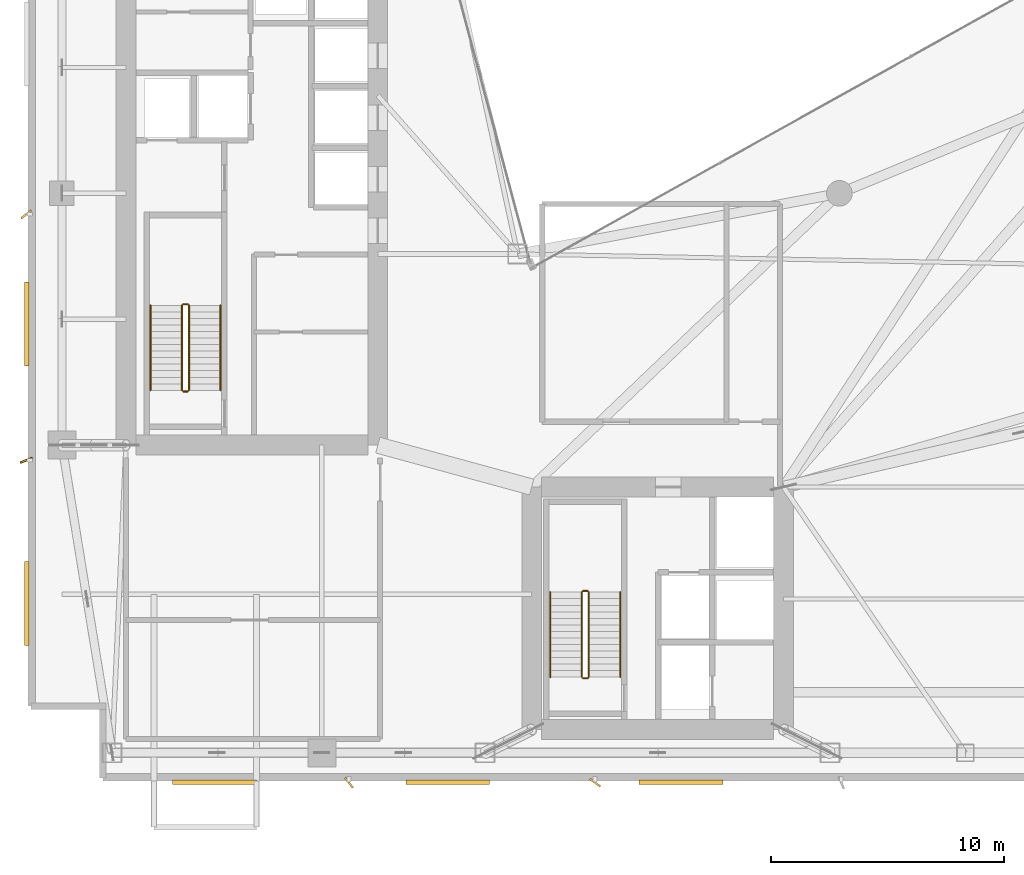
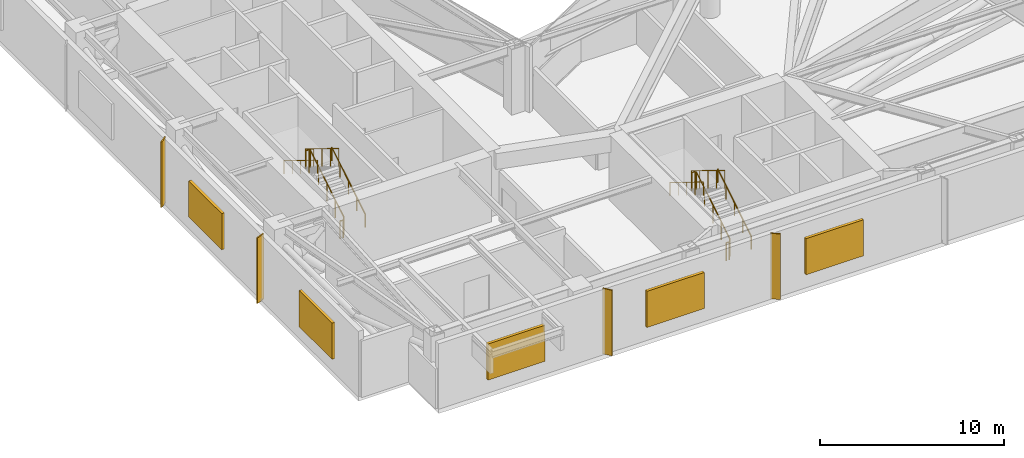
# One storey, part 16 of 17: 12 railings, 9 shading devices.
"""IFC4 building model written with IfcOpenShell, lengths in metres."""

from ifc_helpers import new_model, si_unit, direction, frame, origin, origin_2d, place, context, subcontext, project, spatial, rectangle, circle, extrude, material, type_object, element, save


model = new_model("IFC4")

# Units and contexts
model_context = context("Model", 3, precision=1e-05, world=origin(), true_north=direction((0.0, 1.0)))
body_context = subcontext(model_context, "Body", "Model", "MODEL_VIEW")
ifc_project = project(units=[si_unit("LENGTHUNIT", "METRE"), si_unit("AREAUNIT", "SQUARE_METRE"), si_unit("VOLUMEUNIT", "CUBIC_METRE"), si_unit("PLANEANGLEUNIT", "RADIAN"), si_unit("MASSUNIT", "GRAM", prefix="KILO")], contexts=[model_context])

# Site, building, storey
site_placement = place(None, origin())
site = spatial("IfcSite", under=ifc_project, at=site_placement, CompositionType="ELEMENT")
building_placement = place(site_placement, origin())
building = spatial("IfcBuilding", under=site, at=building_placement, Name="Calvorn Quay Hotel", CompositionType="ELEMENT")
storey_placement = place(building_placement, frame((0.0, 0.0, 186.5)))
storey = spatial("IfcBuildingStorey", under=building, at=storey_placement, Name="L46", CompositionType="ELEMENT", Elevation=186.5)

# Railings
ifc_material_1 = material(Name="Brushed Stainless Steel Handrail", Category="steel")
railing_type_1 = type_object("IfcRailingType", Name="RLG-HANDRAIL-900", PredefinedType="HANDRAIL", material=ifc_material_1)
railing_1_placement = place(storey_placement, frame((8.25, 19.14990234375, 0.17138671875)))
element("IfcRailing", 1, at=railing_1_placement, inside=storey, type_object=railing_type_1, Name="L46 ST-W stair handrail 1", PredefinedType="HANDRAIL", context=body_context, shape_type="SweptSolid", body=[
    extrude(circle(Radius=0.02392578125, at=origin_2d()), frame((0.0, 0.0, 0.8759765625), z_axis=(0.0, 0.852865859571, 0.52213008492), x_axis=(-1.0, 0.0, 0.0)), (0.0, 0.0, 1.0), 4.26806640625),
    extrude(circle(Radius=0.02099609375, at=origin_2d()), origin(), (0.0, 0.0, 1.0), 0.851806640625),
    extrude(circle(Radius=0.02099609375, at=origin_2d()), frame((0.0, 0.91015625, 0.55712890625)), (0.0, 0.0, 1.0), 0.851806640625),
    extrude(circle(Radius=0.02099609375, at=origin_2d()), frame((0.0, 1.820068359375, 1.1142578125)), (0.0, 0.0, 1.0), 0.851806640625),
    extrude(circle(Radius=0.02099609375, at=origin_2d()), frame((0.0, 2.72998046875, 1.67138671875)), (0.0, 0.0, 1.0), 0.851806640625),
    extrude(circle(Radius=0.02099609375, at=origin_2d()), frame((0.0, 3.64013671875, 2.228515625)), (0.0, 0.0, 1.0), 0.851806640625),
])
railing_2_placement = place(storey_placement, frame((5.25, 22.7900390625, 2.571533203125)))
element("IfcRailing", 2, at=railing_2_placement, inside=storey, type_object=railing_type_1, Name="L46 ST-W stair handrail 2", PredefinedType="HANDRAIL", context=body_context, shape_type="SweptSolid", body=[
    extrude(circle(Radius=0.02392578125, at=origin_2d()), frame((0.0, 0.0, 0.8759765625), z_axis=(0.0, -0.852865859571, 0.52213008492), x_axis=(1.0, 0.0, 0.0)), (0.0, 0.0, 1.0), 4.26806640625),
    extrude(circle(Radius=0.02099609375, at=origin_2d()), origin(), (0.0, 0.0, 1.0), 0.851806640625),
    extrude(circle(Radius=0.02099609375, at=origin_2d()), frame((0.0, -0.91015625, 0.55712890625)), (0.0, 0.0, 1.0), 0.851806640625),
    extrude(circle(Radius=0.02099609375, at=origin_2d()), frame((0.0, -1.820068359375, 1.1142578125)), (0.0, 0.0, 1.0), 0.851806640625),
    extrude(circle(Radius=0.02099609375, at=origin_2d()), frame((0.0, -2.72998046875, 1.67138671875)), (0.0, 0.0, 1.0), 0.851806640625),
    extrude(circle(Radius=0.02099609375, at=origin_2d()), frame((0.0, -3.64013671875, 2.228515625)), (0.0, 0.0, 1.0), 0.851806640625),
])
railing_3_placement = place(storey_placement, frame((25.39990234375, 6.85009765625, 0.17138671875)))
element("IfcRailing", 3, at=railing_3_placement, inside=storey, type_object=railing_type_1, Name="L46 ST-E stair handrail 1", PredefinedType="HANDRAIL", context=body_context, shape_type="SweptSolid", body=[
    extrude(circle(Radius=0.02392578125, at=origin_2d()), frame((0.0, 0.0, 0.8759765625), z_axis=(0.0, 0.852850264322, 0.5221555579), x_axis=(-1.0, 0.0, 0.0)), (0.0, 0.0, 1.0), 4.267822265625),
    extrude(circle(Radius=0.02099609375, at=origin_2d()), origin(), (0.0, 0.0, 1.0), 0.851806640625),
    extrude(circle(Radius=0.02099609375, at=origin_2d()), frame((0.0, 0.909912109375, 0.55712890625)), (0.0, 0.0, 1.0), 0.851806640625),
    extrude(circle(Radius=0.02099609375, at=origin_2d()), frame((0.0, 1.81982421875, 1.1142578125)), (0.0, 0.0, 1.0), 0.851806640625),
    extrude(circle(Radius=0.02099609375, at=origin_2d()), frame((0.0, 2.72998046875, 1.67138671875)), (0.0, 0.0, 1.0), 0.851806640625),
    extrude(circle(Radius=0.02099609375, at=origin_2d()), frame((0.0, 3.639892578125, 2.228515625)), (0.0, 0.0, 1.0), 0.851806640625),
])
railing_4_placement = place(storey_placement, frame((22.39990234375, 10.489990234375, 2.571533203125)))
element("IfcRailing", 4, at=railing_4_placement, inside=storey, type_object=railing_type_1, Name="L46 ST-E stair handrail 2", PredefinedType="HANDRAIL", context=body_context, shape_type="SweptSolid", body=[
    extrude(circle(Radius=0.02392578125, at=origin_2d()), frame((0.0, 0.0, 0.8759765625), z_axis=(0.0, -0.852850264322, 0.5221555579), x_axis=(1.0, 0.0, 0.0)), (0.0, 0.0, 1.0), 4.267822265625),
    extrude(circle(Radius=0.02099609375, at=origin_2d()), origin(), (0.0, 0.0, 1.0), 0.851806640625),
    extrude(circle(Radius=0.02099609375, at=origin_2d()), frame((0.0, -0.909912109375, 0.55712890625)), (0.0, 0.0, 1.0), 0.851806640625),
    extrude(circle(Radius=0.02099609375, at=origin_2d()), frame((0.0, -1.81982421875, 1.1142578125)), (0.0, 0.0, 1.0), 0.851806640625),
    extrude(circle(Radius=0.02099609375, at=origin_2d()), frame((0.0, -2.72998046875, 1.67138671875)), (0.0, 0.0, 1.0), 0.851806640625),
    extrude(circle(Radius=0.02099609375, at=origin_2d()), frame((0.0, -3.639892578125, 2.228515625)), (0.0, 0.0, 1.0), 0.851806640625),
])
ifc_material_2 = material(Name="Painted Galvanised Steel Balustrade", Category="steel")
railing_type_2 = type_object("IfcRailingType", Name="RLG-STAIR-GUARD-1120", PredefinedType="GUARDRAIL", material=ifc_material_2)
railing_5_placement = place(storey_placement, frame((6.89990234375, 19.14990234375, 0.17138671875)))
element("IfcRailing", 5, at=railing_5_placement, inside=storey, type_object=railing_type_2, Name="L46 ST-W stair guard 1", PredefinedType="GUARDRAIL", context=body_context, shape_type="SweptSolid", body=[
    extrude(circle(Radius=0.02392578125, at=origin_2d()), frame((0.0, 0.0, 1.17578125), z_axis=(0.0, 0.852865859571, 0.52213008492), x_axis=(-1.0, 0.0, 0.0)), (0.0, 0.0, 1.0), 4.26806640625),
    extrude(circle(Radius=0.02099609375, at=origin_2d()), origin(), (0.0, 0.0, 1.0), 1.15185546875),
    extrude(circle(Radius=0.02099609375, at=origin_2d()), frame((0.0, 0.91015625, 0.55712890625)), (0.0, 0.0, 1.0), 1.15185546875),
    extrude(circle(Radius=0.02099609375, at=origin_2d()), frame((0.0, 1.820068359375, 1.1142578125)), (0.0, 0.0, 1.0), 1.15185546875),
    extrude(circle(Radius=0.02099609375, at=origin_2d()), frame((0.0, 2.72998046875, 1.67138671875)), (0.0, 0.0, 1.0), 1.15185546875),
    extrude(circle(Radius=0.02099609375, at=origin_2d()), frame((0.0, 3.64013671875, 2.228515625)), (0.0, 0.0, 1.0), 1.15185546875),
])
railing_6_placement = place(storey_placement, frame((6.85009765625, 22.840087890625, 2.39990234375)))
element("IfcRailing", 6, at=railing_6_placement, inside=storey, type_object=railing_type_2, Name="L46 ST-W stair guard 2", PredefinedType="GUARDRAIL", context=body_context, shape_type="SweptSolid", body=[
    extrude(circle(Radius=0.02392578125, at=origin_2d()), frame((0.0, 0.0, 1.17578125), z_axis=(-1.0, 0.0, 0.0), x_axis=(0.0, -1.0, 0.0)), (0.0, 0.0, 1.0), 0.2001953125),
    extrude(circle(Radius=0.02099609375, at=origin_2d()), origin(), (0.0, 0.0, 1.0), 1.15185546875),
    extrude(circle(Radius=0.02099609375, at=origin_2d()), frame((-0.2001953125, 0.0, 0.0)), (0.0, 0.0, 1.0), 1.15185546875),
])
railing_7_placement = place(storey_placement, frame((6.60009765625, 22.7900390625, 2.571533203125)))
element("IfcRailing", 7, at=railing_7_placement, inside=storey, type_object=railing_type_2, Name="L46 ST-W stair guard 3", PredefinedType="GUARDRAIL", context=body_context, shape_type="SweptSolid", body=[
    extrude(circle(Radius=0.02392578125, at=origin_2d()), frame((0.0, 0.0, 1.17578125), z_axis=(0.0, -0.852865859571, 0.52213008492), x_axis=(1.0, 0.0, 0.0)), (0.0, 0.0, 1.0), 4.26806640625),
    extrude(circle(Radius=0.02099609375, at=origin_2d()), origin(), (0.0, 0.0, 1.0), 1.15185546875),
    extrude(circle(Radius=0.02099609375, at=origin_2d()), frame((0.0, -0.91015625, 0.55712890625)), (0.0, 0.0, 1.0), 1.15185546875),
    extrude(circle(Radius=0.02099609375, at=origin_2d()), frame((0.0, -1.820068359375, 1.1142578125)), (0.0, 0.0, 1.0), 1.15185546875),
    extrude(circle(Radius=0.02099609375, at=origin_2d()), frame((0.0, -2.72998046875, 1.67138671875)), (0.0, 0.0, 1.0), 1.15185546875),
    extrude(circle(Radius=0.02099609375, at=origin_2d()), frame((0.0, -3.64013671875, 2.228515625)), (0.0, 0.0, 1.0), 1.15185546875),
])
railing_8_placement = place(storey_placement, frame((6.85009765625, 19.10009765625, 0.0)))
element("IfcRailing", 8, at=railing_8_placement, inside=storey, type_object=railing_type_2, Name="L46 ST-W stair guard 4", PredefinedType="GUARDRAIL", context=body_context, shape_type="SweptSolid", body=[
    extrude(circle(Radius=0.02392578125, at=origin_2d()), frame((0.0, 0.0, 1.17578125), z_axis=(-1.0, 0.0, 0.0), x_axis=(0.0, -1.0, 0.0)), (0.0, 0.0, 1.0), 0.2001953125),
    extrude(circle(Radius=0.02099609375, at=origin_2d()), origin(), (0.0, 0.0, 1.0), 1.15185546875),
    extrude(circle(Radius=0.02099609375, at=origin_2d()), frame((-0.2001953125, 0.0, 0.0)), (0.0, 0.0, 1.0), 1.15185546875),
])
railing_9_placement = place(storey_placement, frame((24.050048828125, 6.85009765625, 0.17138671875)))
element("IfcRailing", 9, at=railing_9_placement, inside=storey, type_object=railing_type_2, Name="L46 ST-E stair guard 1", PredefinedType="GUARDRAIL", context=body_context, shape_type="SweptSolid", body=[
    extrude(circle(Radius=0.02392578125, at=origin_2d()), frame((0.0, 0.0, 1.17578125), z_axis=(0.0, 0.852850264322, 0.5221555579), x_axis=(-1.0, 0.0, 0.0)), (0.0, 0.0, 1.0), 4.267822265625),
    extrude(circle(Radius=0.02099609375, at=origin_2d()), origin(), (0.0, 0.0, 1.0), 1.15185546875),
    extrude(circle(Radius=0.02099609375, at=origin_2d()), frame((0.0, 0.909912109375, 0.55712890625)), (0.0, 0.0, 1.0), 1.15185546875),
    extrude(circle(Radius=0.02099609375, at=origin_2d()), frame((0.0, 1.81982421875, 1.1142578125)), (0.0, 0.0, 1.0), 1.15185546875),
    extrude(circle(Radius=0.02099609375, at=origin_2d()), frame((0.0, 2.72998046875, 1.67138671875)), (0.0, 0.0, 1.0), 1.15185546875),
    extrude(circle(Radius=0.02099609375, at=origin_2d()), frame((0.0, 3.639892578125, 2.228515625)), (0.0, 0.0, 1.0), 1.15185546875),
])
railing_10_placement = place(storey_placement, frame((24.0, 10.5400390625, 2.39990234375)))
element("IfcRailing", 10, at=railing_10_placement, inside=storey, type_object=railing_type_2, Name="L46 ST-E stair guard 2", PredefinedType="GUARDRAIL", context=body_context, shape_type="SweptSolid", body=[
    extrude(circle(Radius=0.02392578125, at=origin_2d()), frame((0.0, 0.0, 1.17578125), z_axis=(-1.0, 0.0, 0.0), x_axis=(0.0, -1.0, 0.0)), (0.0, 0.0, 1.0), 0.199951171875),
    extrude(circle(Radius=0.02099609375, at=origin_2d()), origin(), (0.0, 0.0, 1.0), 1.15185546875),
    extrude(circle(Radius=0.02099609375, at=origin_2d()), frame((-0.199951171875, 0.0, 0.0)), (0.0, 0.0, 1.0), 1.15185546875),
])
railing_11_placement = place(storey_placement, frame((23.75, 10.489990234375, 2.571533203125)))
element("IfcRailing", 11, at=railing_11_placement, inside=storey, type_object=railing_type_2, Name="L46 ST-E stair guard 3", PredefinedType="GUARDRAIL", context=body_context, shape_type="SweptSolid", body=[
    extrude(circle(Radius=0.02392578125, at=origin_2d()), frame((0.0, 0.0, 1.17578125), z_axis=(0.0, -0.852850264322, 0.5221555579), x_axis=(1.0, 0.0, 0.0)), (0.0, 0.0, 1.0), 4.267822265625),
    extrude(circle(Radius=0.02099609375, at=origin_2d()), origin(), (0.0, 0.0, 1.0), 1.15185546875),
    extrude(circle(Radius=0.02099609375, at=origin_2d()), frame((0.0, -0.909912109375, 0.55712890625)), (0.0, 0.0, 1.0), 1.15185546875),
    extrude(circle(Radius=0.02099609375, at=origin_2d()), frame((0.0, -1.81982421875, 1.1142578125)), (0.0, 0.0, 1.0), 1.15185546875),
    extrude(circle(Radius=0.02099609375, at=origin_2d()), frame((0.0, -2.72998046875, 1.67138671875)), (0.0, 0.0, 1.0), 1.15185546875),
    extrude(circle(Radius=0.02099609375, at=origin_2d()), frame((0.0, -3.639892578125, 2.228515625)), (0.0, 0.0, 1.0), 1.15185546875),
])
railing_12_placement = place(storey_placement, frame((24.0, 6.800048828125, 0.0)))
element("IfcRailing", 12, at=railing_12_placement, inside=storey, type_object=railing_type_2, Name="L46 ST-E stair guard 4", PredefinedType="GUARDRAIL", context=body_context, shape_type="SweptSolid", body=[
    extrude(circle(Radius=0.02392578125, at=origin_2d()), frame((0.0, 0.0, 1.17578125), z_axis=(-1.0, 0.0, 0.0), x_axis=(0.0, -1.0, 0.0)), (0.0, 0.0, 1.0), 0.199951171875),
    extrude(circle(Radius=0.02099609375, at=origin_2d()), origin(), (0.0, 0.0, 1.0), 1.15185546875),
    extrude(circle(Radius=0.02099609375, at=origin_2d()), frame((-0.199951171875, 0.0, 0.0)), (0.0, 0.0, 1.0), 1.15185546875),
])

# Shading devices
ifc_material_3 = material(Name="Champagne Bronze Anodised Aluminium 6063-T6", Category="aluminium")
shading_device_type_1 = type_object("IfcShadingDeviceType", Name="SHD-FIN-A1", PredefinedType="USERDEFINED", material=ifc_material_3)
shading_device_1_placement = place(storey_placement, frame((-0.080078125, 16.14990234375, 0.0), z_axis=(0.0, 0.0, 1.0), x_axis=(0.927183854567, 0.374606593416, 0.0)))
element("IfcShadingDevice", 13, at=shading_device_1_placement, inside=storey, type_object=shading_device_type_1, Name="Diagonal Sun-Shading Fin L46-W01", ObjectType="FIN", PredefinedType="USERDEFINED", context=body_context, shape_type="SweptSolid", body=[
    extrude(rectangle(XDim=0.550048828125, YDim=0.080078125, at=origin_2d()), origin(), (0.0, 0.0, 1.0), 4.35009765625),
])
ifc_material_4 = material(Name="Champagne Bronze Anodised Aluminium 6063-T6", Category="aluminium")
shading_device_type_2 = type_object("IfcShadingDeviceType", Name="SHD-FIN-A2", PredefinedType="USERDEFINED", material=ifc_material_4)
for number, where, z_axis, x_axis, name in (
    (14, (-0.080078125, 26.699951171875, 0.0), (0.0, 0.0, 1.0), (0.788010753607, 0.615661475326, 0.0), "Diagonal Sun-Shading Fin L46-W02"),
    (15, (13.760009765625, 2.320068359375, 0.0), (0.0, 0.0, 1.0), (-0.615661475326, 0.788010753607, 0.0), "Diagonal Sun-Shading Fin L46-S01"),
):
    element("IfcShadingDevice", number, at=place(storey_placement, frame(where, z_axis=z_axis, x_axis=x_axis)), inside=storey, type_object=shading_device_type_2, Name=name, ObjectType="FIN", PredefinedType="USERDEFINED", context=body_context, shape_type="SweptSolid", body=[
        extrude(rectangle(XDim=0.550048828125, YDim=0.080078125, at=origin_2d()), origin(), (0.0, 0.0, 1.0), 4.35009765625),
    ])
ifc_material_5 = material(Name="Champagne Bronze Anodised Aluminium 6063-T6", Category="aluminium")
shading_device_type_3 = type_object("IfcShadingDeviceType", Name="SHD-FIN-A3", PredefinedType="USERDEFINED", material=ifc_material_5)
shading_device_2_placement = place(storey_placement, frame((24.320068359375, 2.320068359375, 0.0), z_axis=(0.0, 0.0, 1.0), x_axis=(-0.809016994375, 0.587785252292, 0.0)))
element("IfcShadingDevice", 16, at=shading_device_2_placement, inside=storey, type_object=shading_device_type_3, Name="Diagonal Sun-Shading Fin L46-S02", ObjectType="FIN", PredefinedType="USERDEFINED", context=body_context, shape_type="SweptSolid", body=[
    extrude(rectangle(XDim=0.550048828125, YDim=0.080078125, at=origin_2d()), origin(), (0.0, 0.0, 1.0), 4.35009765625),
])
ifc_material_6 = material(Name="Anodised Aluminium 6063-T6", Category="aluminium")
shading_device_type_4 = type_object("IfcShadingDeviceType", Name="SHD-MECH-LOUVRE", PredefinedType="USERDEFINED", material=ifc_material_6)
for number, where, z_axis, x_axis, name in (
    (17, (-0.06005859375, 10.0, 0.97509765625), (0.0, 0.0, 1.0), (1.0, 0.0, 0.0), "Refuge Stormproof Intake Louvre L46-W1"),
    (18, (-0.06005859375, 22.0, 0.97509765625), (0.0, 0.0, 1.0), (1.0, 0.0, 0.0), "Refuge Stormproof Intake Louvre L46-W2"),
):
    element("IfcShadingDevice", number, at=place(storey_placement, frame(where, z_axis=z_axis, x_axis=x_axis)), inside=storey, type_object=shading_device_type_4, Name=name, ObjectType="LOUVRE", PredefinedType="USERDEFINED", context=body_context, shape_type="SweptSolid", body=[
        extrude(rectangle(XDim=0.179931640625, YDim=3.60009765625, at=origin_2d()), origin(), (0.0, 0.0, 1.0), 2.39990234375),
    ])
for number, where, z_axis, x_axis, name in (
    (19, (8.0, 2.340087890625, 0.97509765625), (0.0, 0.0, 1.0), (1.0, 0.0, 0.0), "Refuge Exhaust Louvre L46-S1"),
    (20, (18.0, 2.340087890625, 0.97509765625), (0.0, 0.0, 1.0), (1.0, 0.0, 0.0), "Refuge Exhaust Louvre L46-S2"),
    (21, (28.0, 2.340087890625, 0.97509765625), (0.0, 0.0, 1.0), (1.0, 0.0, 0.0), "Refuge Exhaust Louvre L46-S3"),
):
    element("IfcShadingDevice", number, at=place(storey_placement, frame(where, z_axis=z_axis, x_axis=x_axis)), inside=storey, type_object=shading_device_type_4, Name=name, ObjectType="LOUVRE", PredefinedType="USERDEFINED", context=body_context, shape_type="SweptSolid", body=[
        extrude(rectangle(XDim=3.60009765625, YDim=0.179931640625, at=origin_2d()), origin(), (0.0, 0.0, 1.0), 2.39990234375),
    ])

save(model, "model.ifc")
